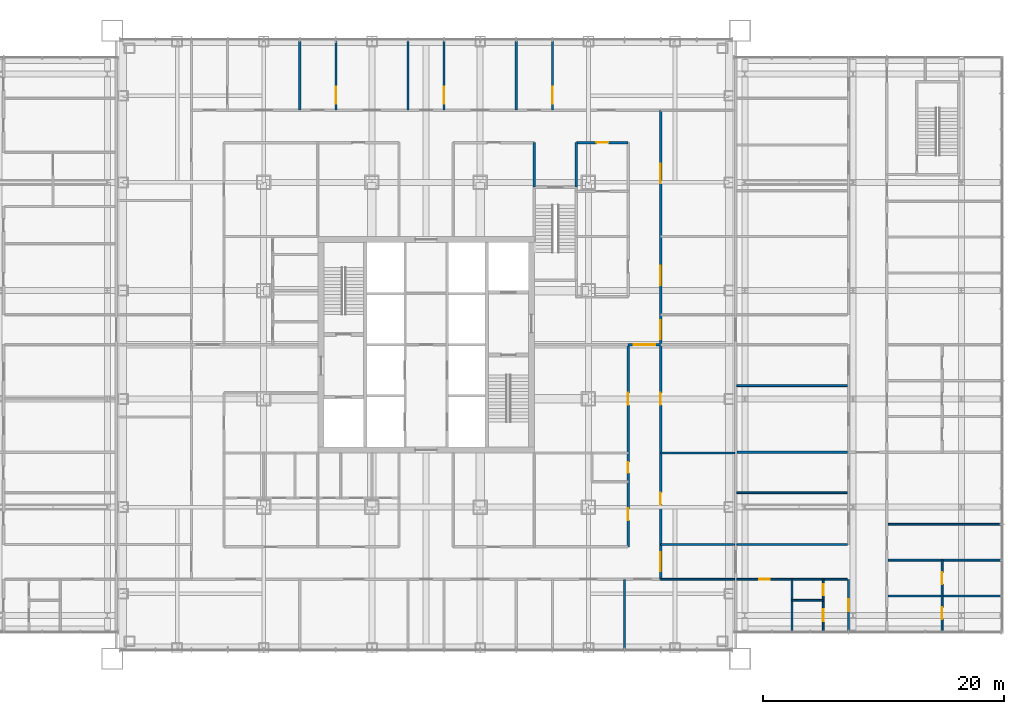
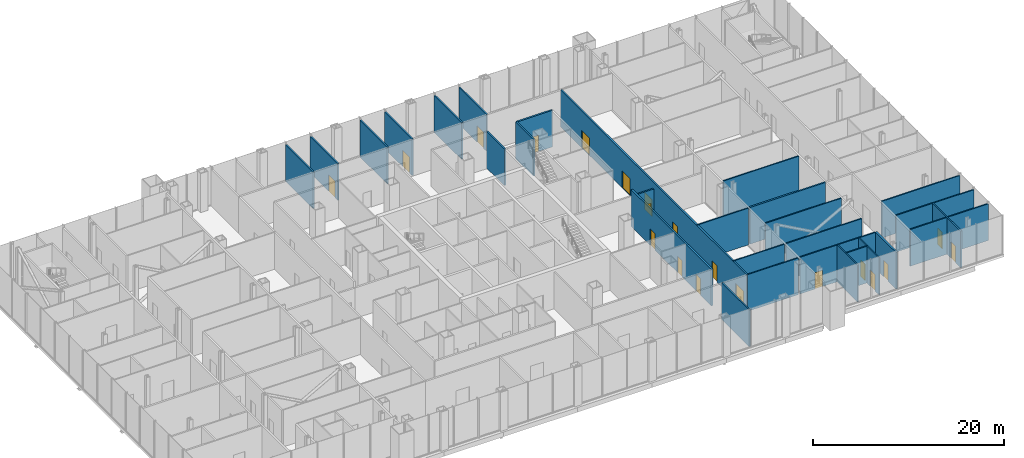
# One storey, part 17 of 25: 29 walls, 20 doors, 20 openings.
"""IFC4 building model written with IfcOpenShell, lengths in metres."""

import ifcopenshell
import ifcopenshell.guid

model = None  # the IFC model being written
_history = None  # IfcOwnerHistory: only IFC2X3 demands one
_inside = {}  # id of a spatial element -> (the spatial element, [elements in it])
_under = {}  # id of a project, library or spatial element -> (it, [spatial elements below it])
_declared = {}  # id of a project -> (the project, [libraries it declares])
_typed = {}  # id of a type object -> (the type object, [elements of that type])
_made_of = {}  # id of a material, layer set ... -> (it, [elements and type objects made of it])


def new_model(schema):
    """Start an empty IFC model of exactly this schema.

    Asked for "IFC4X3", IfcOpenShell would pick the latest addendum, in which some entities
    have other attributes; the version numbers below select the first issue.
    IFC2X3 requires an IfcOwnerHistory on every rooted entity: one is made here for all.
    """
    global model, _history
    if schema == "IFC4X3":
        model = ifcopenshell.file(schema_version=(4, 3, 0, 0))
    else:
        model = ifcopenshell.file(schema=schema)
    _inside.clear()
    _under.clear()
    _declared.clear()
    _typed.clear()
    _made_of.clear()
    _history = None
    if model.schema == "IFC2X3":
        org = make("IfcOrganization", Name="unknown")
        user = make(
            "IfcPersonAndOrganization",
            ThePerson=make("IfcPerson", FamilyName="unknown"),
            TheOrganization=org,
        )
        app = make(
            "IfcApplication",
            ApplicationDeveloper=org,
            Version="unknown",
            ApplicationFullName="unknown",
            ApplicationIdentifier="unknown",
        )
        _history = make(
            "IfcOwnerHistory",
            OwningUser=user,
            OwningApplication=app,
            ChangeAction="ADDED",
            CreationDate=0,
        )
    return model


def make(cls, **values):
    """One entity of the class cls with the attributes given. An attribute that is None is left unset."""
    return model.create_entity(
        cls, **{name: value for name, value in values.items() if value is not None}
    )


def rooted(cls, **values):
    """An entity with a GlobalId (a new one), such as an element, a storey or a relation."""
    return make(cls, GlobalId=ifcopenshell.guid.new(), OwnerHistory=_history, **values)


def si_unit(unit_type, name, prefix=None):
    """IfcSIUnit, for example si_unit("LENGTHUNIT", "METRE", prefix="MILLI")."""
    return make("IfcSIUnit", UnitType=unit_type, Prefix=prefix, Name=name)


def assignment(units):
    """IfcUnitAssignment: the units of a project."""
    return None if units is None else make("IfcUnitAssignment", Units=units)


def point(xyz):
    """IfcCartesianPoint."""
    return None if xyz is None else make("IfcCartesianPoint", Coordinates=xyz)


def direction(xyz):
    """IfcDirection."""
    return None if xyz is None else make("IfcDirection", DirectionRatios=xyz)


def frame(location, z_axis=None, x_axis=None):
    """IfcAxis2Placement3D, a coordinate frame: its origin and axes. An axis left out is left unset."""
    return make(
        "IfcAxis2Placement3D",
        Location=point(location),
        Axis=direction(z_axis),
        RefDirection=direction(x_axis),
    )


def frame_2d(location, x_axis=None):
    """IfcAxis2Placement2D, a coordinate frame in the plane: its origin and x axis."""
    return make(
        "IfcAxis2Placement2D", Location=point(location), RefDirection=direction(x_axis)
    )


def origin():
    """The frame at (0, 0, 0) with its axes left unset."""
    return frame((0.0, 0.0, 0.0))


def place(relative_to, where):
    """IfcLocalPlacement: puts the frame where relative to a parent placement (None: the world)."""
    return make(
        "IfcLocalPlacement", PlacementRelTo=relative_to, RelativePlacement=where
    )


def context(
    kind, dimensions, precision=None, world=None, true_north=None, identifier=None
):
    """IfcGeometricRepresentationContext, for example the 3D "Model" context."""
    return make(
        "IfcGeometricRepresentationContext",
        ContextIdentifier=identifier,
        ContextType=kind,
        CoordinateSpaceDimension=dimensions,
        Precision=precision,
        WorldCoordinateSystem=world,
        TrueNorth=true_north,
    )


def subcontext(parent, identifier, kind, view, scale=None):
    """IfcGeometricRepresentationSubContext, for example "Body" below "Model"."""
    return make(
        "IfcGeometricRepresentationSubContext",
        ContextIdentifier=identifier,
        ContextType=kind,
        ParentContext=parent,
        TargetScale=scale,
        TargetView=view,
    )


def project(units=None, contexts=None):
    """IfcProject with its units and contexts."""
    return rooted(
        "IfcProject",
        Name="project",
        RepresentationContexts=contexts,
        UnitsInContext=assignment(units),
    )


def spatial(cls, under=None, at=None, **own):
    """A site, building, storey or space (cls), placed at a placement, below another one or the project."""
    s = rooted(cls, ObjectPlacement=at, **own)
    if under is not None:
        _under.setdefault(under.id(), (under, []))[1].append(s)
    return s


def profile(cls, at=None, kind="AREA", **sizes):
    """A parametric profile (cls). Its sizes go by their IFC names, for example OverallWidth=200.0."""
    return make(cls, ProfileType=kind, Position=at, **sizes)


def rectangle(**sizes):
    """IfcRectangleProfileDef."""
    return profile("IfcRectangleProfileDef", **sizes)


def extrude(swept, where, along, depth):
    """IfcExtrudedAreaSolid: the profile swept, set in the frame where, extruded along a direction by depth."""
    return make(
        "IfcExtrudedAreaSolid",
        SweptArea=swept,
        Position=where,
        ExtrudedDirection=direction(along),
        Depth=depth,
    )


def shape(context_of_items, identifier, shape_type, items):
    """IfcShapeRepresentation: the items that make up one representation, for example the "Body"."""
    return make(
        "IfcShapeRepresentation",
        ContextOfItems=context_of_items,
        RepresentationIdentifier=identifier,
        RepresentationType=shape_type,
        Items=items,
    )


def material(Name=None, Category=None):
    """IfcMaterial."""
    return make("IfcMaterial", Name=Name, Category=Category)


def layer(
    of_material, thickness, ventilated=None, Name=None, Category=None, Priority=None
):
    """IfcMaterialLayer: one layer of a wall or slab, of a material (None: an air gap)."""
    return make(
        "IfcMaterialLayer",
        Material=of_material,
        LayerThickness=thickness,
        IsVentilated=ventilated,
        Name=Name,
        Category=Category,
        Priority=Priority,
    )


def layer_set(layers, Name=None):
    """IfcMaterialLayerSet."""
    return make("IfcMaterialLayerSet", MaterialLayers=layers, LayerSetName=Name)


def made_of(thing, what):
    """Note that an element or type object is made of a material, layer set ...; save() writes the relation."""
    if what is not None:
        _made_of.setdefault(what.id(), (what, []))[1].append(thing)
    return thing


def type_object(cls, material=None, **own):
    """A type object (cls), such as IfcWallType, which elements share."""
    return made_of(rooted(cls, **own), material)


def element(
    cls,
    number,
    at=None,
    inside=None,
    cuts=None,
    type_object=None,
    material=None,
    context=None,
    identifier="Body",
    shape_type=None,
    held_by="IfcProductDefinitionShape",
    body=None,
    shapes=None,
    **own,
):
    """One element of the class cls, such as IfcWall. Its Tag is "e" and its number.

    at: its placement. inside: the storey or other place that contains it. cuts: it is an
    opening in that element (IfcRelVoidsElement). A single representation is given by context,
    identifier, shape_type and body (its items); several are given by shapes. held_by: the class
    of the entity that holds the representations. save() writes the other relations.
    """
    e = rooted(cls, Tag="e%d" % number, ObjectPlacement=at, **own)
    if body is not None:
        shapes = [shape(context, identifier, shape_type, body)]
    if shapes is not None:
        e.Representation = make(held_by, Representations=shapes)
    if inside is not None:
        _inside.setdefault(inside.id(), (inside, []))[1].append(e)
    if cuts is not None:
        rooted(
            "IfcRelVoidsElement", RelatingBuildingElement=cuts, RelatedOpeningElement=e
        )
    if type_object is not None:
        _typed.setdefault(type_object.id(), (type_object, []))[1].append(e)
    return made_of(e, material)


def fill(opening, filler):
    """IfcRelFillsElement: the door or window that sits in an opening."""
    return rooted(
        "IfcRelFillsElement",
        RelatingOpeningElement=opening,
        RelatedBuildingElement=filler,
    )


def aggregate(whole, parts):
    """IfcRelAggregates: a whole, such as a stair, and the parts it consists of."""
    return rooted("IfcRelAggregates", RelatingObject=whole, RelatedObjects=parts)


def save(model, path):
    """Write the relations noted so far, then the file.

    IfcRelAggregates (storeys below a building ...), IfcRelContainedInSpatialStructure (elements
    in a storey), IfcRelDefinesByType, IfcRelAssociatesMaterial and IfcRelDeclares: one each for
    every whole, place, type object, material and project.
    """
    for whole, parts in _under.values():
        aggregate(whole, parts)
    for where, things in _inside.values():
        rooted(
            "IfcRelContainedInSpatialStructure",
            RelatedElements=things,
            RelatingStructure=where,
        )
    for kind, things in _typed.values():
        rooted("IfcRelDefinesByType", RelatedObjects=things, RelatingType=kind)
    for what, things in _made_of.values():
        rooted("IfcRelAssociatesMaterial", RelatedObjects=things, RelatingMaterial=what)
    for by, libraries in _declared.values():
        rooted("IfcRelDeclares", RelatingContext=by, RelatedDefinitions=libraries)
    model.write(path)


model = new_model("IFC4")

# Units and contexts
model_context = context("Model", 3, precision=1e-05, world=origin(), true_north=direction((0.0, 1.0)))
body_context = subcontext(model_context, "Body", "Model", "MODEL_VIEW")
ifc_project = project(units=[si_unit("LENGTHUNIT", "METRE"), si_unit("AREAUNIT", "SQUARE_METRE"), si_unit("VOLUMEUNIT", "CUBIC_METRE"), si_unit("PLANEANGLEUNIT", "RADIAN"), si_unit("MASSUNIT", "GRAM", prefix="KILO")], contexts=[model_context])

# Site, building, storey
site_placement = place(None, origin())
site = spatial("IfcSite", under=ifc_project, at=site_placement, CompositionType="ELEMENT")
building_placement = place(site_placement, origin())
building = spatial("IfcBuilding", under=site, at=building_placement, Name="Malebo Sky Hospital", CompositionType="ELEMENT")
storey_placement = place(building_placement, frame((0.0, 0.0, 6.0)))
storey = spatial("IfcBuildingStorey", under=building, at=storey_placement, Name="L01", CompositionType="ELEMENT", Elevation=6.0)

# Wall, opening, door
ifc_material_1 = material(Name="Gypsum board on steel studs", Category="steel")
ifc_layer_1 = layer(ifc_material_1, 0.199951171875)
ifc_layer_set_1 = layer_set([ifc_layer_1], Name="CORRIDOR WALL 200")
wall_type_1 = type_object("IfcWallType", Name="CORRIDOR WALL 200", PredefinedType="PARTITIONING", material=ifc_layer_set_1)
wall_1_placement = place(storey_placement, frame((72.5, 78.800048828125, 0.0), z_axis=(0.0, 0.0, 1.0), x_axis=(1.0, 0.0, 0.0)))
wall_1 = element("IfcWall", 1, at=wall_1_placement, inside=storey, type_object=wall_type_1, Name="Corridor Wall 200 NCI2/2", PredefinedType="PARTITIONING", context=body_context, shape_type="SweptSolid", body=[
    extrude(rectangle(XDim=4.300048828125, YDim=0.199951171875, at=frame_2d((2.14990234375, 0.0))), origin(), (0.0, 0.0, 1.0), 4.699951171875),
])
opening_1_placement = place(wall_1_placement, frame((1.64990234375, 0.0, 0.0)))
opening_1 = element("IfcOpeningElement", 2, at=opening_1_placement, cuts=wall_1, Name="Opening D03", PredefinedType="OPENING", context=body_context, shape_type="SweptSolid", body=[
    extrude(rectangle(XDim=1.0, YDim=2.10009765625, at=frame_2d((0.5, 1.050048828125))), frame((0.0, 0.10986328125, 0.0), z_axis=(0.0, -1.0, 0.0), x_axis=(1.0, 0.0, 0.0)), (0.0, 0.0, 1.0), 0.219970703125),
])
ifc_material_2 = material(Name="Hardwood-faced door leaf in steel frame", Category="steel")
door_type_1 = type_object("IfcDoorType", Name="ROOM DOOR 1000", OperationType="SINGLE_SWING_LEFT", PredefinedType="DOOR", material=ifc_material_2)
door_1_placement = place(opening_1_placement, origin())
door_1 = element("IfcDoor", 3, at=door_1_placement, inside=storey, type_object=door_type_1, Name="Patient WC vestibule door", OperationType="SINGLE_SWING_LEFT", OverallHeight=2.10009765625, OverallWidth=1.0, PredefinedType="DOOR", context=body_context, shape_type="SweptSolid", body=[
    extrude(rectangle(XDim=1.0, YDim=2.10009765625, at=frame_2d((0.5, 1.050048828125))), frame((0.0, 0.02490234375, 0.0), z_axis=(0.0, -1.0, 0.0), x_axis=(1.0, 0.0, 0.0)), (0.0, 0.0, 1.0), 0.050048828125),
])
fill(opening_1, door_1)

# Wall, openings, doors
wall_2_placement = place(storey_placement, frame((79.5, 81.5, 0.0), z_axis=(0.0, 0.0, 1.0), x_axis=(0.0, -1.0, 0.0)))
wall_2 = element("IfcWall", 4, at=wall_2_placement, inside=storey, type_object=wall_type_1, Name="Corridor Wall 200 ECO", PredefinedType="PARTITIONING", context=body_context, shape_type="SweptSolid", body=[
    extrude(rectangle(XDim=39.0, YDim=0.199951171875, at=frame_2d((19.5, 0.0))), origin(), (0.0, 0.0, 1.0), 4.699951171875),
])
opening_2_placement = place(wall_2_placement, frame((4.449951171875, 0.0, 0.0)))
opening_2 = element("IfcOpeningElement", 5, at=opening_2_placement, cuts=wall_2, Name="Opening D14", PredefinedType="OPENING", context=body_context, shape_type="SweptSolid", body=[
    extrude(rectangle(XDim=1.60009765625, YDim=2.199951171875, at=frame_2d((0.800048828125, 1.10009765625))), frame((0.0, 0.10986328125, 0.0), z_axis=(0.0, -1.0, 0.0), x_axis=(1.0, 0.0, 0.0)), (0.0, 0.0, 1.0), 0.219970703125),
])
opening_3_placement = place(wall_2_placement, frame((12.949951171875, 0.0, 0.0)))
opening_3 = element("IfcOpeningElement", 6, at=opening_3_placement, cuts=wall_2, Name="Opening D14", PredefinedType="OPENING", context=body_context, shape_type="SweptSolid", body=[
    extrude(rectangle(XDim=1.60009765625, YDim=2.199951171875, at=frame_2d((0.800048828125, 1.10009765625))), frame((0.0, 0.10986328125, 0.0), z_axis=(0.0, -1.0, 0.0), x_axis=(1.0, 0.0, 0.0)), (0.0, 0.0, 1.0), 0.219970703125),
])
opening_4_placement = place(wall_2_placement, frame((17.449951171875, 0.0, 0.0)))
opening_4 = element("IfcOpeningElement", 7, at=opening_4_placement, cuts=wall_2, Name="Opening D14", PredefinedType="OPENING", context=body_context, shape_type="SweptSolid", body=[
    extrude(rectangle(XDim=1.60009765625, YDim=2.199951171875, at=frame_2d((0.800048828125, 1.10009765625))), frame((0.0, 0.10986328125, 0.0), z_axis=(0.0, -1.0, 0.0), x_axis=(1.0, 0.0, 0.0)), (0.0, 0.0, 1.0), 0.219970703125),
])
opening_5_placement = place(wall_2_placement, frame((23.5, 0.0, 0.0)))
opening_5 = element("IfcOpeningElement", 8, at=opening_5_placement, cuts=wall_2, Name="Opening D03", PredefinedType="OPENING", context=body_context, shape_type="SweptSolid", body=[
    extrude(rectangle(XDim=1.0, YDim=2.10009765625, at=frame_2d((0.5, 1.050048828125))), frame((0.0, 0.10986328125, 0.0), z_axis=(0.0, -1.0, 0.0), x_axis=(1.0, 0.0, 0.0)), (0.0, 0.0, 1.0), 0.219970703125),
])
opening_6_placement = place(wall_2_placement, frame((31.800048828125, 0.0, 0.0)))
opening_6 = element("IfcOpeningElement", 9, at=opening_6_placement, cuts=wall_2, Name="Opening D03", PredefinedType="OPENING", context=body_context, shape_type="SweptSolid", body=[
    extrude(rectangle(XDim=1.0, YDim=2.10009765625, at=frame_2d((0.5, 1.050048828125))), frame((0.0, 0.10986328125, 0.0), z_axis=(0.0, -1.0, 0.0), x_axis=(1.0, 0.0, 0.0)), (0.0, 0.0, 1.0), 0.219970703125),
])
opening_7_placement = place(wall_2_placement, frame((36.75, 0.0, 0.0)))
opening_7 = element("IfcOpeningElement", 10, at=opening_7_placement, cuts=wall_2, Name="Opening D14", PredefinedType="OPENING", context=body_context, shape_type="SweptSolid", body=[
    extrude(rectangle(XDim=1.60009765625, YDim=2.199951171875, at=frame_2d((0.800048828125, 1.10009765625))), frame((0.0, 0.10986328125, 0.0), z_axis=(0.0, -1.0, 0.0), x_axis=(1.0, 0.0, 0.0)), (0.0, 0.0, 1.0), 0.219970703125),
])
door_type_2 = type_object("IfcDoorType", Name="DEPARTMENT DOOR PAIR 1600", OperationType="DOUBLE_DOOR_DOUBLE_SWING", PredefinedType="DOOR", material=ifc_material_2)
door_2_placement = place(opening_2_placement, origin())
door_2 = element("IfcDoor", 11, at=door_2_placement, inside=storey, type_object=door_type_2, Name="Outpatient clinic reception door", OperationType="DOUBLE_DOOR_DOUBLE_SWING", OverallHeight=2.199951171875, OverallWidth=1.60009765625, PredefinedType="DOOR", context=body_context, shape_type="SweptSolid", body=[
    extrude(rectangle(XDim=1.60009765625, YDim=2.199951171875, at=frame_2d((0.800048828125, 1.10009765625))), frame((0.0, 0.02490234375, 0.0), z_axis=(0.0, -1.0, 0.0), x_axis=(1.0, 0.0, 0.0)), (0.0, 0.0, 1.0), 0.050048828125),
])
fill(opening_2, door_2)
door_3_placement = place(opening_3_placement, origin())
door_3 = element("IfcDoor", 12, at=door_3_placement, inside=storey, type_object=door_type_2, Name="Outpatient waiting area door", OperationType="DOUBLE_DOOR_DOUBLE_SWING", OverallHeight=2.199951171875, OverallWidth=1.60009765625, PredefinedType="DOOR", context=body_context, shape_type="SweptSolid", body=[
    extrude(rectangle(XDim=1.60009765625, YDim=2.199951171875, at=frame_2d((0.800048828125, 1.10009765625))), frame((0.0, 0.02490234375, 0.0), z_axis=(0.0, -1.0, 0.0), x_axis=(1.0, 0.0, 0.0)), (0.0, 0.0, 1.0), 0.050048828125),
])
fill(opening_3, door_3)
door_4_placement = place(opening_4_placement, origin())
door_4 = element("IfcDoor", 13, at=door_4_placement, inside=storey, type_object=door_type_2, Name="Link corridor door pair", OperationType="DOUBLE_DOOR_DOUBLE_SWING", OverallHeight=2.199951171875, OverallWidth=1.60009765625, PredefinedType="DOOR", context=body_context, shape_type="SweptSolid", body=[
    extrude(rectangle(XDim=1.60009765625, YDim=2.199951171875, at=frame_2d((0.800048828125, 1.10009765625))), frame((0.0, 0.02490234375, 0.0), z_axis=(0.0, -1.0, 0.0), x_axis=(1.0, 0.0, 0.0)), (0.0, 0.0, 1.0), 0.050048828125),
])
fill(opening_4, door_4)
door_5_placement = place(opening_7_placement, origin())
door_5 = element("IfcDoor", 14, at=door_5_placement, inside=storey, type_object=door_type_2, Name="Link corridor door pair", OperationType="DOUBLE_DOOR_DOUBLE_SWING", OverallHeight=2.199951171875, OverallWidth=1.60009765625, PredefinedType="DOOR", context=body_context, shape_type="SweptSolid", body=[
    extrude(rectangle(XDim=1.60009765625, YDim=2.199951171875, at=frame_2d((0.800048828125, 1.10009765625))), frame((0.0, 0.02490234375, 0.0), z_axis=(0.0, -1.0, 0.0), x_axis=(1.0, 0.0, 0.0)), (0.0, 0.0, 1.0), 0.050048828125),
])
fill(opening_7, door_5)
door_6_placement = place(opening_5_placement, origin())
door_6 = element("IfcDoor", 15, at=door_6_placement, inside=storey, type_object=door_type_1, Name="Phlebotomy room door", OperationType="SINGLE_SWING_LEFT", OverallHeight=2.10009765625, OverallWidth=1.0, PredefinedType="DOOR", context=body_context, shape_type="SweptSolid", body=[
    extrude(rectangle(XDim=1.0, YDim=2.10009765625, at=frame_2d((0.5, 1.050048828125))), frame((0.0, 0.02490234375, 0.0), z_axis=(0.0, -1.0, 0.0), x_axis=(1.0, 0.0, 0.0)), (0.0, 0.0, 1.0), 0.050048828125),
])
fill(opening_5, door_6)
door_7_placement = place(opening_6_placement, origin())
door_7 = element("IfcDoor", 16, at=door_7_placement, inside=storey, type_object=door_type_1, Name="Specimen reception door", OperationType="SINGLE_SWING_LEFT", OverallHeight=2.10009765625, OverallWidth=1.0, PredefinedType="DOOR", context=body_context, shape_type="SweptSolid", body=[
    extrude(rectangle(XDim=1.0, YDim=2.10009765625, at=frame_2d((0.5, 1.050048828125))), frame((0.0, 0.02490234375, 0.0), z_axis=(0.0, -1.0, 0.0), x_axis=(1.0, 0.0, 0.0)), (0.0, 0.0, 1.0), 0.050048828125),
])
fill(opening_6, door_7)

wall_3_placement = place(storey_placement, frame((76.800048828125, 62.0, 0.0), z_axis=(0.0, 0.0, 1.0), x_axis=(0.0, -1.0, 0.0)))
wall_3 = element("IfcWall", 17, at=wall_3_placement, inside=storey, type_object=wall_type_1, Name="Corridor Wall 200 ECI2", PredefinedType="PARTITIONING", context=body_context, shape_type="SweptSolid", body=[
    extrude(rectangle(XDim=16.800048828125, YDim=0.199951171875, at=frame_2d((8.39990234375, 0.0))), origin(), (0.0, 0.0, 1.0), 4.699951171875),
])
opening_8_placement = place(wall_3_placement, frame((4.0, 0.0, 0.0)))
opening_8 = element("IfcOpeningElement", 18, at=opening_8_placement, cuts=wall_3, Name="Opening D03", PredefinedType="OPENING", context=body_context, shape_type="SweptSolid", body=[
    extrude(rectangle(XDim=1.0, YDim=2.10009765625, at=frame_2d((0.5, 1.050048828125))), frame((0.0, 0.10986328125, 0.0), z_axis=(0.0, -1.0, 0.0), x_axis=(1.0, 0.0, 0.0)), (0.0, 0.0, 1.0), 0.219970703125),
])
opening_9_placement = place(wall_3_placement, frame((9.75, 0.0, 0.0)))
opening_9 = element("IfcOpeningElement", 19, at=opening_9_placement, cuts=wall_3, Name="Opening D04", PredefinedType="OPENING", context=body_context, shape_type="SweptSolid", body=[
    extrude(rectangle(XDim=0.89990234375, YDim=2.10009765625, at=frame_2d((0.449951171875, 1.050048828125))), frame((0.0, 0.10986328125, 0.0), z_axis=(0.0, -1.0, 0.0), x_axis=(1.0, 0.0, 0.0)), (0.0, 0.0, 1.0), 0.219970703125),
])
opening_10_placement = place(wall_3_placement, frame((13.60009765625, 0.0, 0.0)))
opening_10 = element("IfcOpeningElement", 20, at=opening_10_placement, cuts=wall_3, Name="Opening D03", PredefinedType="OPENING", context=body_context, shape_type="SweptSolid", body=[
    extrude(rectangle(XDim=1.0, YDim=2.10009765625, at=frame_2d((0.5, 1.050048828125))), frame((0.0, 0.10986328125, 0.0), z_axis=(0.0, -1.0, 0.0), x_axis=(1.0, 0.0, 0.0)), (0.0, 0.0, 1.0), 0.219970703125),
])
door_8_placement = place(opening_8_placement, origin())
door_8 = element("IfcDoor", 21, at=door_8_placement, inside=storey, type_object=door_type_1, Name="Linen store door", OperationType="SINGLE_SWING_LEFT", OverallHeight=2.10009765625, OverallWidth=1.0, PredefinedType="DOOR", context=body_context, shape_type="SweptSolid", body=[
    extrude(rectangle(XDim=1.0, YDim=2.10009765625, at=frame_2d((0.5, 1.050048828125))), frame((0.0, 0.02490234375, 0.0), z_axis=(0.0, -1.0, 0.0), x_axis=(1.0, 0.0, 0.0)), (0.0, 0.0, 1.0), 0.050048828125),
])
fill(opening_8, door_8)
door_9_placement = place(opening_10_placement, origin())
door_9 = element("IfcDoor", 22, at=door_9_placement, inside=storey, type_object=door_type_1, Name="Cleaning equipment store door", OperationType="SINGLE_SWING_RIGHT", OverallHeight=2.10009765625, OverallWidth=1.0, PredefinedType="DOOR", context=body_context, shape_type="SweptSolid", body=[
    extrude(rectangle(XDim=1.0, YDim=2.10009765625, at=frame_2d((0.5, 1.050048828125))), frame((0.0, 0.02490234375, 0.0), z_axis=(0.0, -1.0, 0.0), x_axis=(1.0, 0.0, 0.0)), (0.0, 0.0, 1.0), 0.050048828125),
])
fill(opening_10, door_9)
door_type_3 = type_object("IfcDoorType", Name="ROOM DOOR 900", OperationType="SINGLE_SWING_LEFT", PredefinedType="DOOR", material=ifc_material_2)
door_10_placement = place(opening_9_placement, origin())
door_10 = element("IfcDoor", 23, at=door_10_placement, inside=storey, type_object=door_type_3, Name="Cleaner's room door", OperationType="SINGLE_SWING_LEFT", OverallHeight=2.10009765625, OverallWidth=0.89990234375, PredefinedType="DOOR", context=body_context, shape_type="SweptSolid", body=[
    extrude(rectangle(XDim=0.89990234375, YDim=2.10009765625, at=frame_2d((0.449951171875, 1.050048828125))), frame((0.0, 0.02490234375, 0.0), z_axis=(0.0, -1.0, 0.0), x_axis=(1.0, 0.0, 0.0)), (0.0, 0.0, 1.0), 0.050048828125),
])
fill(opening_9, door_10)

# Wall, opening, door
wall_4_placement = place(storey_placement, frame((95.117919921875, 38.14990234375, 0.0), z_axis=(0.0, 0.0, 1.0), x_axis=(0.0, 1.0, 0.0)))
wall_4 = element("IfcWall", 24, at=wall_4_placement, inside=storey, type_object=wall_type_1, Name="Corridor Wall 200 EWC2A", PredefinedType="PARTITIONING", context=body_context, shape_type="SweptSolid", body=[
    extrude(rectangle(XDim=4.35009765625, YDim=0.199951171875, at=frame_2d((2.175048828125, 0.0))), origin(), (0.0, 0.0, 1.0), 4.699951171875),
])
opening_11_placement = place(wall_4_placement, frame((1.675048828125, 0.0, 0.0)))
opening_11 = element("IfcOpeningElement", 25, at=opening_11_placement, cuts=wall_4, Name="Opening D03", PredefinedType="OPENING", context=body_context, shape_type="SweptSolid", body=[
    extrude(rectangle(XDim=1.0, YDim=2.10009765625, at=frame_2d((0.5, 1.050048828125))), frame((0.0, 0.10986328125, 0.0), z_axis=(0.0, -1.0, 0.0), x_axis=(1.0, 0.0, 0.0)), (0.0, 0.0, 1.0), 0.219970703125),
])
door_11_placement = place(opening_11_placement, origin())
door_11 = element("IfcDoor", 26, at=door_11_placement, inside=storey, type_object=door_type_1, Name="WC vestibule door", OperationType="SINGLE_SWING_RIGHT", OverallHeight=2.10009765625, OverallWidth=1.0, PredefinedType="DOOR", context=body_context, shape_type="SweptSolid", body=[
    extrude(rectangle(XDim=1.0, YDim=2.10009765625, at=frame_2d((0.5, 1.050048828125))), frame((0.0, 0.02490234375, 0.0), z_axis=(0.0, -1.0, 0.0), x_axis=(1.0, 0.0, 0.0)), (0.0, 0.0, 1.0), 0.050048828125),
])
fill(opening_11, door_11)

# Walls
for number, where, z_axis, x_axis, name in (
    (27, (69.0, 75.10009765625, 0.0), (0.0, 0.0, 1.0), (0.0, 1.0, 0.0), "Corridor Wall 200 ST3AW"),
    (28, (72.5, 75.10009765625, 0.0), (0.0, 0.0, 1.0), (0.0, 1.0, 0.0), "Corridor Wall 200 ST3AE"),
):
    element("IfcWall", number, at=place(storey_placement, frame(where, z_axis=z_axis, x_axis=x_axis)), inside=storey, type_object=wall_type_1, Name=name, PredefinedType="PARTITIONING", context=body_context, shape_type="SweptSolid", body=[
        extrude(rectangle(XDim=3.699951171875, YDim=0.199951171875, at=frame_2d((1.85009765625, 0.0))), origin(), (0.0, 0.0, 1.0), 4.699951171875),
    ])
ifc_layer_2 = layer(ifc_material_1, 0.14990234375)
ifc_layer_set_2 = layer_set([ifc_layer_2], Name="PARTITION 150")
wall_type_2 = type_object("IfcWallType", Name="PARTITION 150", PredefinedType="PARTITIONING", material=ifc_layer_set_2)
for number, where, z_axis, x_axis, name in (
    (29, (79.5, 53.0, 0.0), (0.0, 0.0, 1.0), (1.0, 0.0, 0.0), "Partition 150 EP+9.0"),
    (30, (79.5, 45.39990234375, 0.0), (0.0, 0.0, 1.0), (1.0, 0.0, 0.0), "Partition 150 EP+16.6"),
    (31, (79.5, 42.5, 0.0), (0.0, 0.0, 1.0), (1.0, 0.0, 0.0), "Partition 150 EP+19.5"),
):
    element("IfcWall", number, at=place(storey_placement, frame(where, z_axis=z_axis, x_axis=x_axis)), inside=storey, type_object=wall_type_2, Name=name, PredefinedType="PARTITIONING", context=body_context, shape_type="SweptSolid", body=[
        extrude(rectangle(XDim=6.14990234375, YDim=0.14990234375, at=frame_2d((3.074951171875, 0.0))), origin(), (0.0, 0.0, 1.0), 4.699951171875),
    ])
for number, where, z_axis, x_axis, name in (
    (32, (107.85009765625, 41.109375, 0.0), (0.0, 0.0, 1.0), (-1.0, 0.0, 0.0), "Partition 150 EOH00"),
    (33, (107.85009765625, 44.09375, 0.0), (0.0, 0.0, 1.0), (-1.0, 0.0, 0.0), "Partition 150 EOH01"),
    (34, (107.85009765625, 47.078125, 0.0), (0.0, 0.0, 1.0), (-1.0, 0.0, 0.0), "Partition 150 EOH02"),
):
    element("IfcWall", number, at=place(storey_placement, frame(where, z_axis=z_axis, x_axis=x_axis)), inside=storey, type_object=wall_type_2, Name=name, PredefinedType="PARTITIONING", context=body_context, shape_type="SweptSolid", body=[
        extrude(rectangle(XDim=9.443115234375, YDim=0.14990234375, at=frame_2d((4.7216796875, 0.0))), origin(), (0.0, 0.0, 1.0), 4.699951171875),
    ])

# Wall, openings, doors
wall_5_placement = place(storey_placement, frame((102.906982421875, 38.14990234375, 0.0), z_axis=(0.0, 0.0, 1.0), x_axis=(0.0, 1.0, 0.0)))
wall_5 = element("IfcWall", 35, at=wall_5_placement, inside=storey, type_object=wall_type_2, Name="Partition 150 EOV09", PredefinedType="PARTITIONING", context=body_context, shape_type="SweptSolid", body=[
    extrude(rectangle(XDim=5.94384765625, YDim=0.14990234375, at=frame_2d((2.971923828125, 0.0))), origin(), (0.0, 0.0, 1.0), 4.699951171875),
])
opening_12_placement = place(wall_5_placement, frame((1.02978515625, 0.0, 0.0)))
opening_12 = element("IfcOpeningElement", 36, at=opening_12_placement, cuts=wall_5, Name="Opening D03", PredefinedType="OPENING", context=body_context, shape_type="SweptSolid", body=[
    extrude(rectangle(XDim=1.0, YDim=2.10009765625, at=frame_2d((0.5, 1.050048828125))), frame((0.0, 0.0849609375, 0.0), z_axis=(0.0, -1.0, 0.0), x_axis=(1.0, 0.0, 0.0)), (0.0, 0.0, 1.0), 0.169921875),
])
opening_13_placement = place(wall_5_placement, frame((3.95166015625, 0.0, 0.0)))
opening_13 = element("IfcOpeningElement", 37, at=opening_13_placement, cuts=wall_5, Name="Opening D03", PredefinedType="OPENING", context=body_context, shape_type="SweptSolid", body=[
    extrude(rectangle(XDim=1.0, YDim=2.10009765625, at=frame_2d((0.5, 1.050048828125))), frame((0.0, 0.0849609375, 0.0), z_axis=(0.0, -1.0, 0.0), x_axis=(1.0, 0.0, 0.0)), (0.0, 0.0, 1.0), 0.169921875),
])
door_12_placement = place(opening_12_placement, origin())
door_12 = element("IfcDoor", 38, at=door_12_placement, inside=storey, type_object=door_type_1, Name="Examination room inner door", OperationType="SINGLE_SWING_RIGHT", OverallHeight=2.10009765625, OverallWidth=1.0, PredefinedType="DOOR", context=body_context, shape_type="SweptSolid", body=[
    extrude(rectangle(XDim=1.0, YDim=2.10009765625, at=frame_2d((0.5, 1.050048828125))), frame((0.0, 0.02490234375, 0.0), z_axis=(0.0, -1.0, 0.0), x_axis=(1.0, 0.0, 0.0)), (0.0, 0.0, 1.0), 0.050048828125),
])
fill(opening_12, door_12)
door_13_placement = place(opening_13_placement, origin())
door_13 = element("IfcDoor", 39, at=door_13_placement, inside=storey, type_object=door_type_1, Name="Examination room inner door", OperationType="SINGLE_SWING_LEFT", OverallHeight=2.10009765625, OverallWidth=1.0, PredefinedType="DOOR", context=body_context, shape_type="SweptSolid", body=[
    extrude(rectangle(XDim=1.0, YDim=2.10009765625, at=frame_2d((0.5, 1.050048828125))), frame((0.0, 0.02490234375, 0.0), z_axis=(0.0, -1.0, 0.0), x_axis=(1.0, 0.0, 0.0)), (0.0, 0.0, 1.0), 0.050048828125),
])
fill(opening_13, door_13)

# Wall
wall_6_placement = place(storey_placement, frame((93.01806640625, 40.75, 0.0), z_axis=(0.0, 0.0, 1.0), x_axis=(-1.0, 0.0, 0.0)))
element("IfcWall", 40, at=wall_6_placement, inside=storey, type_object=wall_type_2, Name="Partition 150 EIH00", PredefinedType="PARTITIONING", context=body_context, shape_type="SweptSolid", body=[
    extrude(rectangle(XDim=2.60009765625, YDim=0.14990234375, at=frame_2d((1.300048828125, 0.0))), origin(), (0.0, 0.0, 1.0), 4.699951171875),
])

# Wall, opening, door
wall_7_placement = place(storey_placement, frame((95.01806640625, 42.5, 0.0), z_axis=(0.0, 0.0, 1.0), x_axis=(-1.0, 0.0, 0.0)))
wall_7 = element("IfcWall", 41, at=wall_7_placement, inside=storey, type_object=wall_type_2, Name="Partition 150 EIH01", PredefinedType="PARTITIONING", context=body_context, shape_type="SweptSolid", body=[
    extrude(rectangle(XDim=9.16796875, YDim=0.14990234375, at=frame_2d((4.583984375, 0.0))), origin(), (0.0, 0.0, 1.0), 4.699951171875),
])
opening_14_placement = place(wall_7_placement, frame((6.43408203125, 0.0, 0.0)))
opening_14 = element("IfcOpeningElement", 42, at=opening_14_placement, cuts=wall_7, Name="Opening D04", PredefinedType="OPENING", context=body_context, shape_type="SweptSolid", body=[
    extrude(rectangle(XDim=0.89990234375, YDim=2.10009765625, at=frame_2d((0.449951171875, 1.050048828125))), frame((0.0, 0.0849609375, 0.0), z_axis=(0.0, -1.0, 0.0), x_axis=(1.0, 0.0, 0.0)), (0.0, 0.0, 1.0), 0.169921875),
])
door_14_placement = place(opening_14_placement, origin())
door_14 = element("IfcDoor", 43, at=door_14_placement, inside=storey, type_object=door_type_3, Name="Cleaner's room inner door", OperationType="SINGLE_SWING_LEFT", OverallHeight=2.10009765625, OverallWidth=0.89990234375, PredefinedType="DOOR", context=body_context, shape_type="SweptSolid", body=[
    extrude(rectangle(XDim=0.89990234375, YDim=2.10009765625, at=frame_2d((0.449951171875, 1.050048828125))), frame((0.0, 0.02490234375, 0.0), z_axis=(0.0, -1.0, 0.0), x_axis=(1.0, 0.0, 0.0)), (0.0, 0.0, 1.0), 0.050048828125),
])
fill(opening_14, door_14)

# Walls
for number, where, z_axis, x_axis, name in (
    (44, (95.01806640625, 45.39990234375, 0.0), (0.0, 0.0, 1.0), (-1.0, 0.0, 0.0), "Partition 150 EIH02"),
    (45, (95.01806640625, 49.699951171875, 0.0), (0.0, 0.0, 1.0), (-1.0, 0.0, 0.0), "Partition 150 EIH03"),
    (46, (95.01806640625, 58.60009765625, 0.0), (0.0, 0.0, 1.0), (-1.0, 0.0, 0.0), "Partition 150 EIH05"),
):
    element("IfcWall", number, at=place(storey_placement, frame(where, z_axis=z_axis, x_axis=x_axis)), inside=storey, type_object=wall_type_2, Name=name, PredefinedType="PARTITIONING", context=body_context, shape_type="SweptSolid", body=[
        extrude(rectangle(XDim=9.16796875, YDim=0.14990234375, at=frame_2d((4.583984375, 0.0))), origin(), (0.0, 0.0, 1.0), 4.699951171875),
    ])

# Wall, openings, doors
wall_8_placement = place(storey_placement, frame((93.01806640625, 38.14990234375, 0.0), z_axis=(0.0, 0.0, 1.0), x_axis=(0.0, 1.0, 0.0)))
wall_8 = element("IfcWall", 47, at=wall_8_placement, inside=storey, type_object=wall_type_2, Name="Partition 150 EIV12", PredefinedType="PARTITIONING", context=body_context, shape_type="SweptSolid", body=[
    extrude(rectangle(XDim=4.35009765625, YDim=0.14990234375, at=frame_2d((2.175048828125, 0.0))), origin(), (0.0, 0.0, 1.0), 4.699951171875),
])
opening_15_placement = place(wall_8_placement, frame((0.85009765625, 0.0, 0.0)))
opening_15 = element("IfcOpeningElement", 48, at=opening_15_placement, cuts=wall_8, Name="Opening D03", PredefinedType="OPENING", context=body_context, shape_type="SweptSolid", body=[
    extrude(rectangle(XDim=1.0, YDim=2.10009765625, at=frame_2d((0.5, 1.050048828125))), frame((0.0, 0.0849609375, 0.0), z_axis=(0.0, -1.0, 0.0), x_axis=(1.0, 0.0, 0.0)), (0.0, 0.0, 1.0), 0.169921875),
])
opening_16_placement = place(wall_8_placement, frame((3.02490234375, 0.0, 0.0)))
opening_16 = element("IfcOpeningElement", 49, at=opening_16_placement, cuts=wall_8, Name="Opening D04", PredefinedType="OPENING", context=body_context, shape_type="SweptSolid", body=[
    extrude(rectangle(XDim=0.89990234375, YDim=2.10009765625, at=frame_2d((0.449951171875, 1.050048828125))), frame((0.0, 0.0849609375, 0.0), z_axis=(0.0, -1.0, 0.0), x_axis=(1.0, 0.0, 0.0)), (0.0, 0.0, 1.0), 0.169921875),
])
door_15_placement = place(opening_15_placement, origin())
door_15 = element("IfcDoor", 50, at=door_15_placement, inside=storey, type_object=door_type_1, Name="Accessible WC inner door", OperationType="SINGLE_SWING_RIGHT", OverallHeight=2.10009765625, OverallWidth=1.0, PredefinedType="DOOR", context=body_context, shape_type="SweptSolid", body=[
    extrude(rectangle(XDim=1.0, YDim=2.10009765625, at=frame_2d((0.5, 1.050048828125))), frame((0.0, 0.02490234375, 0.0), z_axis=(0.0, -1.0, 0.0), x_axis=(1.0, 0.0, 0.0)), (0.0, 0.0, 1.0), 0.050048828125),
])
fill(opening_15, door_15)
door_16_placement = place(opening_16_placement, origin())
door_16 = element("IfcDoor", 51, at=door_16_placement, inside=storey, type_object=door_type_3, Name="Staff WC inner door", OperationType="SINGLE_SWING_LEFT", OverallHeight=2.10009765625, OverallWidth=0.89990234375, PredefinedType="DOOR", context=body_context, shape_type="SweptSolid", body=[
    extrude(rectangle(XDim=0.89990234375, YDim=2.10009765625, at=frame_2d((0.449951171875, 1.050048828125))), frame((0.0, 0.02490234375, 0.0), z_axis=(0.0, -1.0, 0.0), x_axis=(1.0, 0.0, 0.0)), (0.0, 0.0, 1.0), 0.050048828125),
])
fill(opening_16, door_16)

# Walls
wall_9_placement = place(storey_placement, frame((90.41796875, 38.14990234375, 0.0), z_axis=(0.0, 0.0, 1.0), x_axis=(0.0, 1.0, 0.0)))
element("IfcWall", 52, at=wall_9_placement, inside=storey, type_object=wall_type_2, Name="Partition 150 EIV13", PredefinedType="PARTITIONING", context=body_context, shape_type="SweptSolid", body=[
    extrude(rectangle(XDim=4.35009765625, YDim=0.14990234375, at=frame_2d((2.175048828125, 0.0))), origin(), (0.0, 0.0, 1.0), 4.699951171875),
])
ifc_material_3 = material(Name="Lead-lined gypsum board on steel studs", Category="steel")
ifc_layer_3 = layer(ifc_material_3, 0.175048828125)
ifc_layer_set_3 = layer_set([ifc_layer_3], Name="SHIELDED PARTITION 175")
wall_type_3 = type_object("IfcWallType", Name="SHIELDED PARTITION 175", PredefinedType="PARTITIONING", material=ifc_layer_set_3)
wall_10_placement = place(storey_placement, frame((49.5, 81.5, 0.0), z_axis=(0.0, 0.0, 1.0), x_axis=(0.0, 1.0, 0.0)))
element("IfcWall", 53, at=wall_10_placement, inside=storey, type_object=wall_type_3, Name="Shielded Partition 175 NP-10.5", PredefinedType="PARTITIONING", context=body_context, shape_type="SweptSolid", body=[
    extrude(rectangle(XDim=5.75, YDim=0.175048828125, at=frame_2d((2.875, 0.0))), origin(), (0.0, 0.0, 1.0), 4.699951171875),
])

# Wall, opening, door
wall_11_placement = place(storey_placement, frame((52.5, 81.5, 0.0), z_axis=(0.0, 0.0, 1.0), x_axis=(0.0, 1.0, 0.0)))
wall_11 = element("IfcWall", 54, at=wall_11_placement, inside=storey, type_object=wall_type_3, Name="Shielded Partition 175 NP-7.5", PredefinedType="PARTITIONING", context=body_context, shape_type="SweptSolid", body=[
    extrude(rectangle(XDim=5.75, YDim=0.175048828125, at=frame_2d((2.875, 0.0))), origin(), (0.0, 0.0, 1.0), 4.699951171875),
])
opening_17_placement = place(wall_11_placement, frame((0.550048828125, 0.0, 0.0)))
opening_17 = element("IfcOpeningElement", 55, at=opening_17_placement, cuts=wall_11, Name="Opening D15", PredefinedType="OPENING", context=body_context, shape_type="SweptSolid", body=[
    extrude(rectangle(XDim=1.39990234375, YDim=2.10009765625, at=frame_2d((0.699951171875, 1.050048828125))), frame((0.0, 0.097412109375, 0.0), z_axis=(0.0, -1.0, 0.0), x_axis=(1.0, 0.0, 0.0)), (0.0, 0.0, 1.0), 0.195068359375),
])
ifc_material_4 = material(Name="Lead-lined hardwood-faced door leaf in steel frame", Category="steel")
door_type_4 = type_object("IfcDoorType", Name="LEAD-LINED DOOR 1400", OperationType="SINGLE_SWING_LEFT", PredefinedType="DOOR", material=ifc_material_4)
door_17_placement = place(opening_17_placement, origin())
door_17 = element("IfcDoor", 56, at=door_17_placement, inside=storey, type_object=door_type_4, Name="X-ray control room inner door", OperationType="SINGLE_SWING_LEFT", OverallHeight=2.10009765625, OverallWidth=1.39990234375, PredefinedType="DOOR", context=body_context, shape_type="SweptSolid", body=[
    extrude(rectangle(XDim=1.39990234375, YDim=2.10009765625, at=frame_2d((0.699951171875, 1.050048828125))), frame((0.0, 0.02490234375, 0.0), z_axis=(0.0, -1.0, 0.0), x_axis=(1.0, 0.0, 0.0)), (0.0, 0.0, 1.0), 0.050048828125),
])
fill(opening_17, door_17)

# Wall
wall_12_placement = place(storey_placement, frame((58.5, 81.5, 0.0), z_axis=(0.0, 0.0, 1.0), x_axis=(0.0, 1.0, 0.0)))
element("IfcWall", 57, at=wall_12_placement, inside=storey, type_object=wall_type_3, Name="Shielded Partition 175 NP-1.5", PredefinedType="PARTITIONING", context=body_context, shape_type="SweptSolid", body=[
    extrude(rectangle(XDim=5.75, YDim=0.175048828125, at=frame_2d((2.875, 0.0))), origin(), (0.0, 0.0, 1.0), 4.699951171875),
])

# Wall, opening, door
wall_13_placement = place(storey_placement, frame((61.5, 81.5, 0.0), z_axis=(0.0, 0.0, 1.0), x_axis=(0.0, 1.0, 0.0)))
wall_13 = element("IfcWall", 58, at=wall_13_placement, inside=storey, type_object=wall_type_3, Name="Shielded Partition 175 NP+1.5", PredefinedType="PARTITIONING", context=body_context, shape_type="SweptSolid", body=[
    extrude(rectangle(XDim=5.75, YDim=0.175048828125, at=frame_2d((2.875, 0.0))), origin(), (0.0, 0.0, 1.0), 4.699951171875),
])
opening_18_placement = place(wall_13_placement, frame((0.550048828125, 0.0, 0.0)))
opening_18 = element("IfcOpeningElement", 59, at=opening_18_placement, cuts=wall_13, Name="Opening D15", PredefinedType="OPENING", context=body_context, shape_type="SweptSolid", body=[
    extrude(rectangle(XDim=1.39990234375, YDim=2.10009765625, at=frame_2d((0.699951171875, 1.050048828125))), frame((0.0, 0.097412109375, 0.0), z_axis=(0.0, -1.0, 0.0), x_axis=(1.0, 0.0, 0.0)), (0.0, 0.0, 1.0), 0.195068359375),
])
door_18_placement = place(opening_18_placement, origin())
door_18 = element("IfcDoor", 60, at=door_18_placement, inside=storey, type_object=door_type_4, Name="Fluoroscopy control room inner door", OperationType="SINGLE_SWING_LEFT", OverallHeight=2.10009765625, OverallWidth=1.39990234375, PredefinedType="DOOR", context=body_context, shape_type="SweptSolid", body=[
    extrude(rectangle(XDim=1.39990234375, YDim=2.10009765625, at=frame_2d((0.699951171875, 1.050048828125))), frame((0.0, 0.02490234375, 0.0), z_axis=(0.0, -1.0, 0.0), x_axis=(1.0, 0.0, 0.0)), (0.0, 0.0, 1.0), 0.050048828125),
])
fill(opening_18, door_18)

# Wall
wall_14_placement = place(storey_placement, frame((67.5, 81.5, 0.0), z_axis=(0.0, 0.0, 1.0), x_axis=(0.0, 1.0, 0.0)))
element("IfcWall", 61, at=wall_14_placement, inside=storey, type_object=wall_type_3, Name="Shielded Partition 175 NP+7.5", PredefinedType="PARTITIONING", context=body_context, shape_type="SweptSolid", body=[
    extrude(rectangle(XDim=5.75, YDim=0.175048828125, at=frame_2d((2.875, 0.0))), origin(), (0.0, 0.0, 1.0), 4.699951171875),
])

# Wall, opening, door
wall_15_placement = place(storey_placement, frame((70.5, 81.5, 0.0), z_axis=(0.0, 0.0, 1.0), x_axis=(0.0, 1.0, 0.0)))
wall_15 = element("IfcWall", 62, at=wall_15_placement, inside=storey, type_object=wall_type_3, Name="Shielded Partition 175 NP+10.5", PredefinedType="PARTITIONING", context=body_context, shape_type="SweptSolid", body=[
    extrude(rectangle(XDim=5.75, YDim=0.175048828125, at=frame_2d((2.875, 0.0))), origin(), (0.0, 0.0, 1.0), 4.699951171875),
])
opening_19_placement = place(wall_15_placement, frame((0.550048828125, 0.0, 0.0)))
opening_19 = element("IfcOpeningElement", 63, at=opening_19_placement, cuts=wall_15, Name="Opening D15", PredefinedType="OPENING", context=body_context, shape_type="SweptSolid", body=[
    extrude(rectangle(XDim=1.39990234375, YDim=2.10009765625, at=frame_2d((0.699951171875, 1.050048828125))), frame((0.0, 0.097412109375, 0.0), z_axis=(0.0, -1.0, 0.0), x_axis=(1.0, 0.0, 0.0)), (0.0, 0.0, 1.0), 0.195068359375),
])
door_19_placement = place(opening_19_placement, origin())
door_19 = element("IfcDoor", 64, at=door_19_placement, inside=storey, type_object=door_type_4, Name="Interventional radiology control room inner door", OperationType="SINGLE_SWING_LEFT", OverallHeight=2.10009765625, OverallWidth=1.39990234375, PredefinedType="DOOR", context=body_context, shape_type="SweptSolid", body=[
    extrude(rectangle(XDim=1.39990234375, YDim=2.10009765625, at=frame_2d((0.699951171875, 1.050048828125))), frame((0.0, 0.02490234375, 0.0), z_axis=(0.0, -1.0, 0.0), x_axis=(1.0, 0.0, 0.0)), (0.0, 0.0, 1.0), 0.050048828125),
])
fill(opening_19, door_19)

# Wall
wall_16_placement = place(storey_placement, frame((76.5, 42.5, 0.0), z_axis=(0.0, 0.0, 1.0), x_axis=(0.0, -1.0, 0.0)))
element("IfcWall", 65, at=wall_16_placement, inside=storey, type_object=wall_type_3, Name="Shielded Partition 175 SP-16.5", PredefinedType="PARTITIONING", context=body_context, shape_type="SweptSolid", body=[
    extrude(rectangle(XDim=5.75, YDim=0.175048828125, at=frame_2d((2.875, 0.0))), origin(), (0.0, 0.0, 1.0), 4.699951171875),
])

# Wall, opening, door
ifc_material_5 = material(Name="Concrete blockwork", Category="masonry")
ifc_layer_4 = layer(ifc_material_5, 0.199951171875)
ifc_layer_set_4 = layer_set([ifc_layer_4], Name="SMOKE BARRIER WALL 200")
wall_type_4 = type_object("IfcWallType", Name="SMOKE BARRIER WALL 200", PredefinedType="SOLIDWALL", material=ifc_layer_set_4)
wall_17_placement = place(storey_placement, frame((76.800048828125, 62.0, 0.0), z_axis=(0.0, 0.0, 1.0), x_axis=(1.0, 0.0, 0.0)))
wall_17 = element("IfcWall", 66, at=wall_17_placement, inside=storey, type_object=wall_type_4, Name="Smoke Barrier Wall 200 ESB", PredefinedType="SOLIDWALL", context=body_context, shape_type="SweptSolid", body=[
    extrude(rectangle(XDim=2.699951171875, YDim=0.199951171875, at=frame_2d((1.35009765625, 0.0))), origin(), (0.0, 0.0, 1.0), 3.89990234375),
])
opening_20_placement = place(wall_17_placement, frame((0.449951171875, 0.0, 0.0)))
opening_20 = element("IfcOpeningElement", 67, at=opening_20_placement, cuts=wall_17, Name="Opening D05", PredefinedType="OPENING", context=body_context, shape_type="SweptSolid", body=[
    extrude(rectangle(XDim=1.800048828125, YDim=2.199951171875, at=frame_2d((0.89990234375, 1.10009765625))), frame((0.0, 0.10986328125, 0.0), z_axis=(0.0, -1.0, 0.0), x_axis=(1.0, 0.0, 0.0)), (0.0, 0.0, 1.0), 0.219970703125),
])
door_type_5 = type_object("IfcDoorType", Name="SMOKE DOOR PAIR 1800", OperationType="DOUBLE_DOOR_DOUBLE_SWING", PredefinedType="DOOR", material=ifc_material_2)
door_20_placement = place(opening_20_placement, origin())
door_20 = element("IfcDoor", 68, at=door_20_placement, inside=storey, type_object=door_type_5, Name="Smoke compartment door pair", OperationType="DOUBLE_DOOR_DOUBLE_SWING", OverallHeight=2.199951171875, OverallWidth=1.800048828125, PredefinedType="DOOR", context=body_context, shape_type="SweptSolid", body=[
    extrude(rectangle(XDim=1.800048828125, YDim=2.199951171875, at=frame_2d((0.89990234375, 1.10009765625))), frame((0.0, 0.02490234375, 0.0), z_axis=(0.0, -1.0, 0.0), x_axis=(1.0, 0.0, 0.0)), (0.0, 0.0, 1.0), 0.050048828125),
])
fill(opening_20, door_20)

# Wall
wall_18_placement = place(storey_placement, frame((95.01806640625, 53.046875, 0.0), z_axis=(0.0, 0.0, 1.0), x_axis=(-1.0, 0.0, 0.0)))
element("IfcWall", 69, at=wall_18_placement, inside=storey, type_object=wall_type_4, Name="Smoke Barrier Wall 200 EIH04", PredefinedType="SOLIDWALL", context=body_context, shape_type="SweptSolid", body=[
    extrude(rectangle(XDim=9.16796875, YDim=0.199951171875, at=frame_2d((4.583984375, 0.0))), origin(), (0.0, 0.0, 1.0), 4.699951171875),
])

save(model, "model.ifc")
